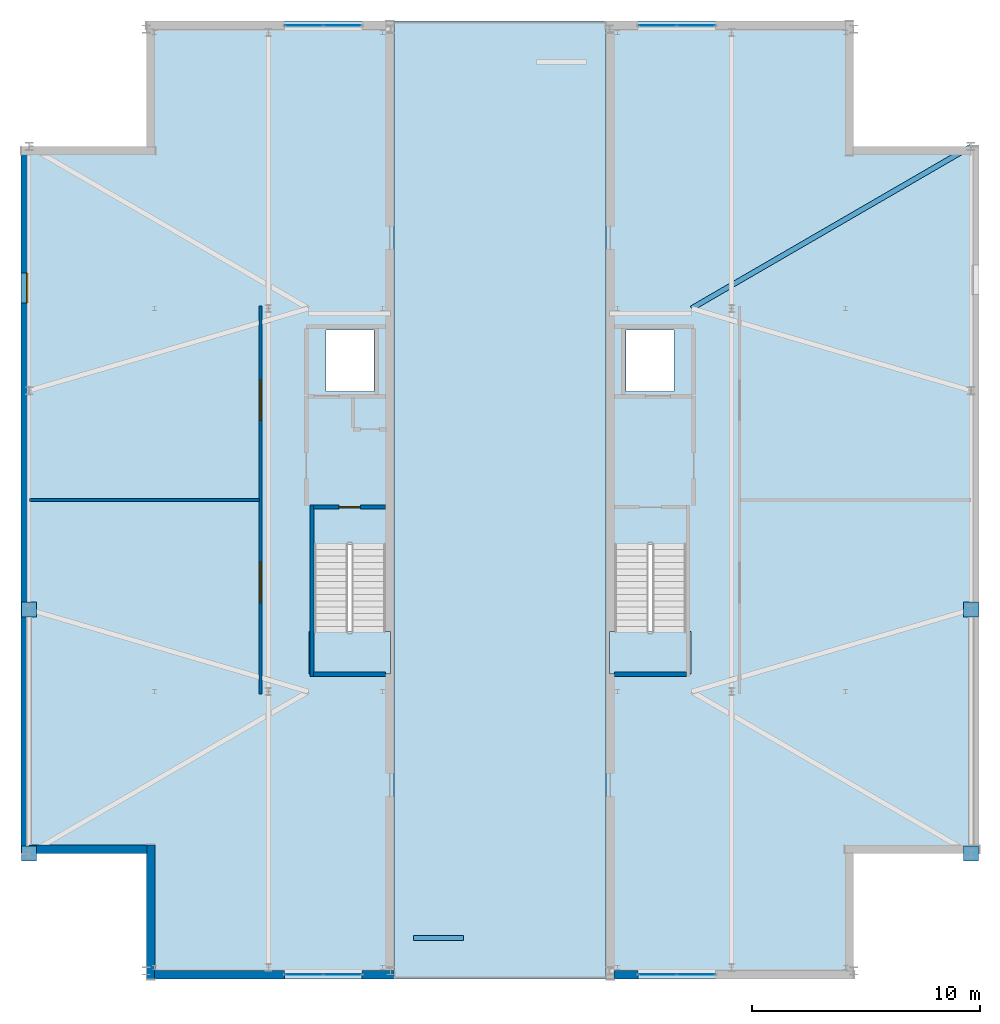
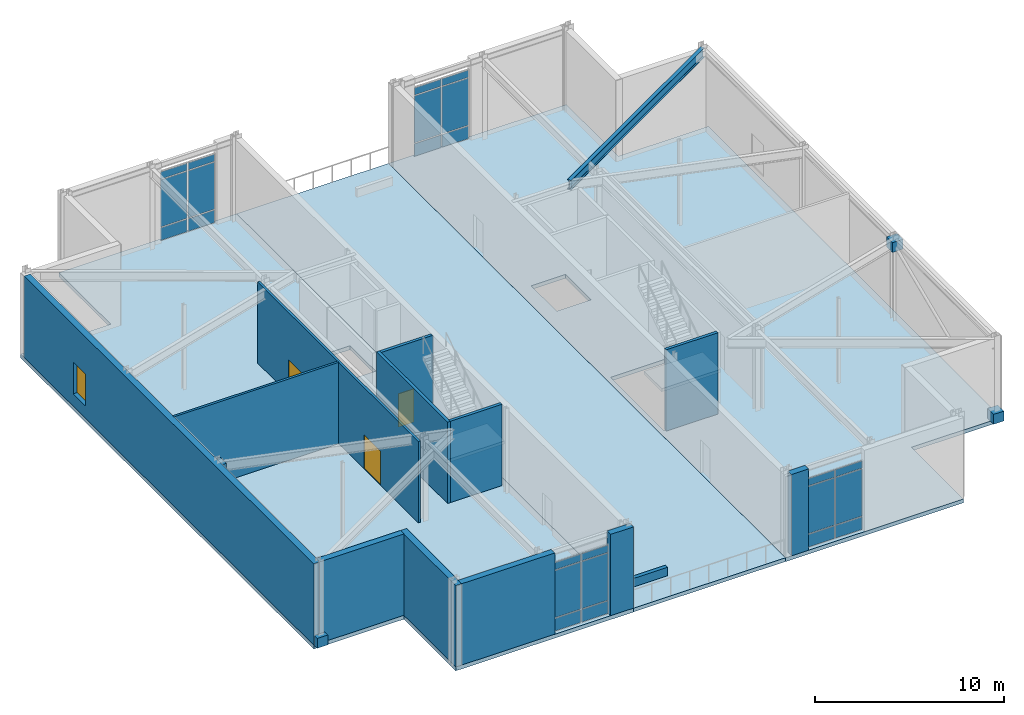
# One storey, part 11 of 16: 28 plates, 13 walls, 5 slabs, 3 doors, 1 beam, 1 window, 4 openings, 6 elements without a shape of their own.
"""IFC4 building model written with IfcOpenShell, lengths in metres."""

from ifc_helpers import new_model, si_unit, direction, frame, frame_2d, origin, origin_2d, place, context, subcontext, project, spatial, polyline, rectangle, i_section, outline, extrude, material, layer, layer_set, material_profile, profile_set, type_object, element, fill, aggregate, save


model = new_model("IFC4")

# Units and contexts
model_context = context("Model", 3, precision=1e-05, world=origin(), true_north=direction((0.0, 1.0)))
body_context = subcontext(model_context, "Body", "Model", "MODEL_VIEW")
ifc_project = project(units=[si_unit("LENGTHUNIT", "METRE"), si_unit("AREAUNIT", "SQUARE_METRE"), si_unit("VOLUMEUNIT", "CUBIC_METRE"), si_unit("PLANEANGLEUNIT", "RADIAN"), si_unit("MASSUNIT", "GRAM", prefix="KILO")], contexts=[model_context])

# Site, building, storey
site_placement = place(None, origin())
site = spatial("IfcSite", under=ifc_project, at=site_placement, CompositionType="ELEMENT")
building_placement = place(site_placement, origin())
building = spatial("IfcBuilding", under=site, at=building_placement, Name="Cairnveth Concourse Tower", CompositionType="ELEMENT")
storey_placement = place(building_placement, frame((0.0, 0.0, 324.5)))
storey = spatial("IfcBuildingStorey", under=building, at=storey_placement, Name="L89", CompositionType="ELEMENT", Elevation=324.5)

# Beam
ifc_material_1 = material(Name="Steel Grade 350", Category="steel")
ifc_material_profile = material_profile(ifc_material_1, i_section(OverallWidth=0.22900390625, OverallDepth=0.612060546875, WebThickness=0.011962890625, FlangeThickness=0.01953125, FilletRadius=0.013916015625, at=origin_2d()), Name="610UB125")
ifc_profile_set = profile_set([ifc_material_profile], Name="Steel Grade 350")
beam_type = type_object("IfcBeamType", Name="ZONE 4 RADIAL GIRDER 610UB125", PredefinedType="BEAM", material=ifc_profile_set)
beam_placement = place(storey_placement, frame((60.39990234375, 47.39990234375, 4.944091796875), z_axis=(0.86518141842, 0.501458984584, 0.0), x_axis=(-0.501458984584, 0.86518141842, 0.0)))
element("IfcBeam", 1, at=beam_placement, inside=storey, type_object=beam_type, Name="Beam CB-E4 L89", PredefinedType="BEAM", context=body_context, shape_type="SweptSolid", body=[
    extrude(i_section(OverallWidth=0.22900390625, OverallDepth=0.612060546875, WebThickness=0.011962890625, FlangeThickness=0.01953125, FilletRadius=0.013916015625, at=origin_2d()), origin(), (0.0, 0.0, 1.0), 14.158935546875),
])

# Slabs
ifc_material_2 = material(Name="Concrete N50 (50 MPa)", Category="concrete")
ifc_layer_1 = layer(ifc_material_2, 0.25)
ifc_layer_set_1 = layer_set([ifc_layer_1], Name="Concrete N50 (50 MPa)")
slab_type_1 = type_object("IfcSlabType", Name="CROWN PLANT FLOOR SLAB 250", PredefinedType="FLOOR", material=ifc_layer_set_1)
slab_1_placement = place(storey_placement, frame((0.0, 0.0, -0.25)))
element("IfcSlab", 2, at=slab_1_placement, inside=storey, type_object=slab_type_1, Name="West Crown Peak Floor Slab L89", PredefinedType="FLOOR", context=body_context, shape_type="SweptSolid", body=[
    extrude(outline(polyline([(36.5, 18.0), (47.360107421875, 18.0), (47.360107421875, 60.0), (36.5, 60.0), (36.5, 54.5), (31.0, 54.5), (31.0, 23.5), (36.5, 23.5), (36.5, 18.0)]), holes=[polyline([(43.760009765625, 31.360107421875), (47.06005859375, 31.360107421875), (47.06005859375, 37.0400390625), (43.760009765625, 37.0400390625), (43.760009765625, 31.360107421875)]), polyline([(44.3701171875, 43.75), (46.469970703125, 43.75), (46.469970703125, 46.449951171875), (44.3701171875, 46.449951171875), (44.3701171875, 43.75)])]), origin(), (0.0, 0.0, 1.0), 0.25),
])
slab_2_placement = place(storey_placement, frame((0.0, 0.0, -0.25)))
element("IfcSlab", 3, at=slab_2_placement, inside=storey, type_object=slab_type_1, Name="East Crown Peak Floor Slab L89", PredefinedType="FLOOR", context=body_context, shape_type="SweptSolid", body=[
    extrude(outline(polyline([(56.639892578125, 18.0), (67.5, 18.0), (67.5, 23.5), (73.0, 23.5), (73.0, 54.5), (67.5, 54.5), (67.5, 60.0), (56.639892578125, 60.0), (56.639892578125, 18.0)]), holes=[polyline([(56.93994140625, 31.360107421875), (60.239990234375, 31.360107421875), (60.239990234375, 37.0400390625), (56.93994140625, 37.0400390625), (56.93994140625, 31.360107421875)]), polyline([(57.530029296875, 43.75), (59.6298828125, 43.75), (59.6298828125, 46.449951171875), (57.530029296875, 46.449951171875), (57.530029296875, 43.75)])]), origin(), (0.0, 0.0, 1.0), 0.25),
])
ifc_layer_2 = layer(ifc_material_2, 0.239990234375)
ifc_layer_set_2 = layer_set([ifc_layer_2], Name="Concrete N50 (50 MPa)")
slab_type_2 = type_object("IfcSlabType", Name="CROWN SKY CLEFT TERRACE SLAB 240", PredefinedType="FLOOR", material=ifc_layer_set_2)
slab_3_placement = place(storey_placement, frame((0.0, 0.0, -0.239990234375)))
element("IfcSlab", 4, at=slab_3_placement, inside=storey, type_object=slab_type_2, Name="Crown Sky-Cleft Garden Terrace Slab L89", PredefinedType="FLOOR", context=body_context, shape_type="SweptSolid", body=[
    extrude(outline(polyline([(47.360107421875, 18.0), (56.639892578125, 18.0), (56.639892578125, 60.0), (47.360107421875, 60.0), (47.360107421875, 18.0)])), origin(), (0.0, 0.0, 1.0), 0.239990234375),
])

# Curtain wall, plates
ifc_material_3 = material(Name="Architectural Bronze Anodised Aluminium 6063-T6", Category="aluminium")
ifc_layer_3 = layer(ifc_material_3, 0.320068359375)
ifc_layer_set_3 = layer_set([ifc_layer_3], Name="Architectural Bronze Anodised Aluminium 6063-T6")
curtain_wall_type = type_object("IfcCurtainWallType", Name="CROWN LANTERN GABLE CURTAIN WALL", PredefinedType="USERDEFINED", material=ifc_layer_set_3)
curtain_wall_1_placement = place(storey_placement, origin())
curtain_wall_1 = element("IfcCurtainWall", 5, at=curtain_wall_1_placement, inside=storey, type_object=curtain_wall_type, Name="Curtain Wall CW-L89-CROWN-W5", ObjectType="SHOPFRONT GLAZING", PredefinedType="USERDEFINED")
ifc_material_4 = material(Name="Double Glazed Low-E Clear Glass", Category="glass")
ifc_layer_4 = layer(ifc_material_4, 0.028076171875)
ifc_layer_set_4 = layer_set([ifc_layer_4], Name="Double Glazed Low-E Clear Glass")
plate_type_1 = type_object("IfcPlateType", Name="DOUBLE GLAZED LOW-E CURTAIN PANEL 28", PredefinedType="CURTAIN_PANEL", material=ifc_layer_set_4)
plate_1_placement = place(storey_placement, frame((43.407470703125, 59.81005859375, 0.06005859375), z_axis=(0.0, 0.0, 1.0), x_axis=(1.0, 0.0, 0.0)))
plate_1 = element("IfcPlate", 6, at=plate_1_placement, type_object=plate_type_1, Name="CWS6 panel 1.1", PredefinedType="CURTAIN_PANEL", context=body_context, shape_type="SweptSolid", body=[
    extrude(rectangle(XDim=1.625, YDim=0.028076171875, at=origin_2d()), origin(), (0.0, 0.0, 1.0), 0.81005859375),
])
plate_2_placement = place(storey_placement, frame((43.407470703125, 59.81005859375, 0.93017578125), z_axis=(0.0, 0.0, 1.0), x_axis=(1.0, 0.0, 0.0)))
plate_2 = element("IfcPlate", 7, at=plate_2_placement, type_object=plate_type_1, Name="CWS6 panel 1.2", PredefinedType="CURTAIN_PANEL", context=body_context, shape_type="SweptSolid", body=[
    extrude(rectangle(XDim=1.625, YDim=0.028076171875, at=origin_2d()), origin(), (0.0, 0.0, 1.0), 3.028076171875),
])
plate_3_placement = place(storey_placement, frame((43.407470703125, 59.81005859375, 4.01806640625), z_axis=(0.0, 0.0, 1.0), x_axis=(1.0, 0.0, 0.0)))
plate_3 = element("IfcPlate", 8, at=plate_3_placement, type_object=plate_type_1, Name="CWS6 panel 1.3", PredefinedType="CURTAIN_PANEL", context=body_context, shape_type="SweptSolid", body=[
    extrude(rectangle(XDim=1.625, YDim=0.028076171875, at=origin_2d()), origin(), (0.0, 0.0, 1.0), 0.4599609375),
])
plate_4_placement = place(storey_placement, frame((45.092529296875, 59.81005859375, 0.06005859375), z_axis=(0.0, 0.0, 1.0), x_axis=(1.0, 0.0, 0.0)))
plate_4 = element("IfcPlate", 9, at=plate_4_placement, type_object=plate_type_1, Name="CWS6 panel 2.1", PredefinedType="CURTAIN_PANEL", context=body_context, shape_type="SweptSolid", body=[
    extrude(rectangle(XDim=1.625, YDim=0.028076171875, at=origin_2d()), origin(), (0.0, 0.0, 1.0), 0.81005859375),
])
plate_5_placement = place(storey_placement, frame((45.092529296875, 59.81005859375, 0.93017578125), z_axis=(0.0, 0.0, 1.0), x_axis=(1.0, 0.0, 0.0)))
plate_5 = element("IfcPlate", 10, at=plate_5_placement, type_object=plate_type_1, Name="CWS6 panel 2.2", PredefinedType="CURTAIN_PANEL", context=body_context, shape_type="SweptSolid", body=[
    extrude(rectangle(XDim=1.625, YDim=0.028076171875, at=origin_2d()), origin(), (0.0, 0.0, 1.0), 3.028076171875),
])
plate_6_placement = place(storey_placement, frame((45.092529296875, 59.81005859375, 4.01806640625), z_axis=(0.0, 0.0, 1.0), x_axis=(1.0, 0.0, 0.0)))
plate_6 = element("IfcPlate", 11, at=plate_6_placement, type_object=plate_type_1, Name="CWS6 panel 2.3", PredefinedType="CURTAIN_PANEL", context=body_context, shape_type="SweptSolid", body=[
    extrude(rectangle(XDim=1.625, YDim=0.028076171875, at=origin_2d()), origin(), (0.0, 0.0, 1.0), 0.4599609375),
])
aggregate(curtain_wall_1, [plate_1, plate_2, plate_3, plate_4, plate_5, plate_6])

curtain_wall_2_placement = place(storey_placement, origin())
curtain_wall_2 = element("IfcCurtainWall", 12, at=curtain_wall_2_placement, inside=storey, type_object=curtain_wall_type, Name="Curtain Wall CW-L89-CROWN-W7", ObjectType="SHOPFRONT GLAZING", PredefinedType="USERDEFINED")
plate_7_placement = place(storey_placement, frame((45.092529296875, 18.18994140625, 0.06005859375), z_axis=(0.0, 0.0, 1.0), x_axis=(-1.0, 0.0, 0.0)))
plate_7 = element("IfcPlate", 13, at=plate_7_placement, type_object=plate_type_1, Name="CWS6 panel 1.1", PredefinedType="CURTAIN_PANEL", context=body_context, shape_type="SweptSolid", body=[
    extrude(rectangle(XDim=1.625, YDim=0.028076171875, at=origin_2d()), origin(), (0.0, 0.0, 1.0), 0.81005859375),
])
plate_8_placement = place(storey_placement, frame((45.092529296875, 18.18994140625, 0.93017578125), z_axis=(0.0, 0.0, 1.0), x_axis=(-1.0, 0.0, 0.0)))
plate_8 = element("IfcPlate", 14, at=plate_8_placement, type_object=plate_type_1, Name="CWS6 panel 1.2", PredefinedType="CURTAIN_PANEL", context=body_context, shape_type="SweptSolid", body=[
    extrude(rectangle(XDim=1.625, YDim=0.028076171875, at=origin_2d()), origin(), (0.0, 0.0, 1.0), 3.028076171875),
])
plate_9_placement = place(storey_placement, frame((45.092529296875, 18.18994140625, 4.01806640625), z_axis=(0.0, 0.0, 1.0), x_axis=(-1.0, 0.0, 0.0)))
plate_9 = element("IfcPlate", 15, at=plate_9_placement, type_object=plate_type_1, Name="CWS6 panel 1.3", PredefinedType="CURTAIN_PANEL", context=body_context, shape_type="SweptSolid", body=[
    extrude(rectangle(XDim=1.625, YDim=0.028076171875, at=origin_2d()), origin(), (0.0, 0.0, 1.0), 0.4599609375),
])
plate_10_placement = place(storey_placement, frame((43.407470703125, 18.18994140625, 0.06005859375), z_axis=(0.0, 0.0, 1.0), x_axis=(-1.0, 0.0, 0.0)))
plate_10 = element("IfcPlate", 16, at=plate_10_placement, type_object=plate_type_1, Name="CWS6 panel 2.1", PredefinedType="CURTAIN_PANEL", context=body_context, shape_type="SweptSolid", body=[
    extrude(rectangle(XDim=1.625, YDim=0.028076171875, at=origin_2d()), origin(), (0.0, 0.0, 1.0), 0.81005859375),
])
plate_11_placement = place(storey_placement, frame((43.407470703125, 18.18994140625, 0.93017578125), z_axis=(0.0, 0.0, 1.0), x_axis=(-1.0, 0.0, 0.0)))
plate_11 = element("IfcPlate", 17, at=plate_11_placement, type_object=plate_type_1, Name="CWS6 panel 2.2", PredefinedType="CURTAIN_PANEL", context=body_context, shape_type="SweptSolid", body=[
    extrude(rectangle(XDim=1.625, YDim=0.028076171875, at=origin_2d()), origin(), (0.0, 0.0, 1.0), 3.028076171875),
])
plate_12_placement = place(storey_placement, frame((43.407470703125, 18.18994140625, 4.01806640625), z_axis=(0.0, 0.0, 1.0), x_axis=(-1.0, 0.0, 0.0)))
plate_12 = element("IfcPlate", 18, at=plate_12_placement, type_object=plate_type_1, Name="CWS6 panel 2.3", PredefinedType="CURTAIN_PANEL", context=body_context, shape_type="SweptSolid", body=[
    extrude(rectangle(XDim=1.625, YDim=0.028076171875, at=origin_2d()), origin(), (0.0, 0.0, 1.0), 0.4599609375),
])
aggregate(curtain_wall_2, [plate_7, plate_8, plate_9, plate_10, plate_11, plate_12])

curtain_wall_3_placement = place(storey_placement, origin())
curtain_wall_3 = element("IfcCurtainWall", 19, at=curtain_wall_3_placement, inside=storey, type_object=curtain_wall_type, Name="Curtain Wall CW-L89-CROWN-E1", ObjectType="SHOPFRONT GLAZING", PredefinedType="USERDEFINED")
plate_13_placement = place(storey_placement, frame((58.907470703125, 59.81005859375, 0.06005859375), z_axis=(0.0, 0.0, 1.0), x_axis=(1.0, 0.0, 0.0)))
plate_13 = element("IfcPlate", 20, at=plate_13_placement, type_object=plate_type_1, Name="CWS6 panel 1.1", PredefinedType="CURTAIN_PANEL", context=body_context, shape_type="SweptSolid", body=[
    extrude(rectangle(XDim=1.625, YDim=0.028076171875, at=origin_2d()), origin(), (0.0, 0.0, 1.0), 0.81005859375),
])
plate_14_placement = place(storey_placement, frame((58.907470703125, 59.81005859375, 0.93017578125), z_axis=(0.0, 0.0, 1.0), x_axis=(1.0, 0.0, 0.0)))
plate_14 = element("IfcPlate", 21, at=plate_14_placement, type_object=plate_type_1, Name="CWS6 panel 1.2", PredefinedType="CURTAIN_PANEL", context=body_context, shape_type="SweptSolid", body=[
    extrude(rectangle(XDim=1.625, YDim=0.028076171875, at=origin_2d()), origin(), (0.0, 0.0, 1.0), 3.028076171875),
])
plate_15_placement = place(storey_placement, frame((58.907470703125, 59.81005859375, 4.01806640625), z_axis=(0.0, 0.0, 1.0), x_axis=(1.0, 0.0, 0.0)))
plate_15 = element("IfcPlate", 22, at=plate_15_placement, type_object=plate_type_1, Name="CWS6 panel 1.3", PredefinedType="CURTAIN_PANEL", context=body_context, shape_type="SweptSolid", body=[
    extrude(rectangle(XDim=1.625, YDim=0.028076171875, at=origin_2d()), origin(), (0.0, 0.0, 1.0), 0.4599609375),
])
plate_16_placement = place(storey_placement, frame((60.592529296875, 59.81005859375, 0.06005859375), z_axis=(0.0, 0.0, 1.0), x_axis=(1.0, 0.0, 0.0)))
plate_16 = element("IfcPlate", 23, at=plate_16_placement, type_object=plate_type_1, Name="CWS6 panel 2.1", PredefinedType="CURTAIN_PANEL", context=body_context, shape_type="SweptSolid", body=[
    extrude(rectangle(XDim=1.625, YDim=0.028076171875, at=origin_2d()), origin(), (0.0, 0.0, 1.0), 0.81005859375),
])
plate_17_placement = place(storey_placement, frame((60.592529296875, 59.81005859375, 0.93017578125), z_axis=(0.0, 0.0, 1.0), x_axis=(1.0, 0.0, 0.0)))
plate_17 = element("IfcPlate", 24, at=plate_17_placement, type_object=plate_type_1, Name="CWS6 panel 2.2", PredefinedType="CURTAIN_PANEL", context=body_context, shape_type="SweptSolid", body=[
    extrude(rectangle(XDim=1.625, YDim=0.028076171875, at=origin_2d()), origin(), (0.0, 0.0, 1.0), 3.028076171875),
])
plate_18_placement = place(storey_placement, frame((60.592529296875, 59.81005859375, 4.01806640625), z_axis=(0.0, 0.0, 1.0), x_axis=(1.0, 0.0, 0.0)))
plate_18 = element("IfcPlate", 25, at=plate_18_placement, type_object=plate_type_1, Name="CWS6 panel 2.3", PredefinedType="CURTAIN_PANEL", context=body_context, shape_type="SweptSolid", body=[
    extrude(rectangle(XDim=1.625, YDim=0.028076171875, at=origin_2d()), origin(), (0.0, 0.0, 1.0), 0.4599609375),
])
aggregate(curtain_wall_3, [plate_13, plate_14, plate_15, plate_16, plate_17, plate_18])

curtain_wall_4_placement = place(storey_placement, origin())
curtain_wall_4 = element("IfcCurtainWall", 26, at=curtain_wall_4_placement, inside=storey, type_object=curtain_wall_type, Name="Curtain Wall CW-L89-CROWN-E7", ObjectType="SHOPFRONT GLAZING", PredefinedType="USERDEFINED")
plate_19_placement = place(storey_placement, frame((60.592529296875, 18.18994140625, 0.06005859375), z_axis=(0.0, 0.0, 1.0), x_axis=(-1.0, 0.0, 0.0)))
plate_19 = element("IfcPlate", 27, at=plate_19_placement, type_object=plate_type_1, Name="CWS6 panel 1.1", PredefinedType="CURTAIN_PANEL", context=body_context, shape_type="SweptSolid", body=[
    extrude(rectangle(XDim=1.625, YDim=0.028076171875, at=origin_2d()), origin(), (0.0, 0.0, 1.0), 0.81005859375),
])
plate_20_placement = place(storey_placement, frame((60.592529296875, 18.18994140625, 0.93017578125), z_axis=(0.0, 0.0, 1.0), x_axis=(-1.0, 0.0, 0.0)))
plate_20 = element("IfcPlate", 28, at=plate_20_placement, type_object=plate_type_1, Name="CWS6 panel 1.2", PredefinedType="CURTAIN_PANEL", context=body_context, shape_type="SweptSolid", body=[
    extrude(rectangle(XDim=1.625, YDim=0.028076171875, at=origin_2d()), origin(), (0.0, 0.0, 1.0), 3.028076171875),
])
plate_21_placement = place(storey_placement, frame((60.592529296875, 18.18994140625, 4.01806640625), z_axis=(0.0, 0.0, 1.0), x_axis=(-1.0, 0.0, 0.0)))
plate_21 = element("IfcPlate", 29, at=plate_21_placement, type_object=plate_type_1, Name="CWS6 panel 1.3", PredefinedType="CURTAIN_PANEL", context=body_context, shape_type="SweptSolid", body=[
    extrude(rectangle(XDim=1.625, YDim=0.028076171875, at=origin_2d()), origin(), (0.0, 0.0, 1.0), 0.4599609375),
])
plate_22_placement = place(storey_placement, frame((58.907470703125, 18.18994140625, 0.06005859375), z_axis=(0.0, 0.0, 1.0), x_axis=(-1.0, 0.0, 0.0)))
plate_22 = element("IfcPlate", 30, at=plate_22_placement, type_object=plate_type_1, Name="CWS6 panel 2.1", PredefinedType="CURTAIN_PANEL", context=body_context, shape_type="SweptSolid", body=[
    extrude(rectangle(XDim=1.625, YDim=0.028076171875, at=origin_2d()), origin(), (0.0, 0.0, 1.0), 0.81005859375),
])
plate_23_placement = place(storey_placement, frame((58.907470703125, 18.18994140625, 0.93017578125), z_axis=(0.0, 0.0, 1.0), x_axis=(-1.0, 0.0, 0.0)))
plate_23 = element("IfcPlate", 31, at=plate_23_placement, type_object=plate_type_1, Name="CWS6 panel 2.2", PredefinedType="CURTAIN_PANEL", context=body_context, shape_type="SweptSolid", body=[
    extrude(rectangle(XDim=1.625, YDim=0.028076171875, at=origin_2d()), origin(), (0.0, 0.0, 1.0), 3.028076171875),
])
plate_24_placement = place(storey_placement, frame((58.907470703125, 18.18994140625, 4.01806640625), z_axis=(0.0, 0.0, 1.0), x_axis=(-1.0, 0.0, 0.0)))
plate_24 = element("IfcPlate", 32, at=plate_24_placement, type_object=plate_type_1, Name="CWS6 panel 2.3", PredefinedType="CURTAIN_PANEL", context=body_context, shape_type="SweptSolid", body=[
    extrude(rectangle(XDim=1.625, YDim=0.028076171875, at=origin_2d()), origin(), (0.0, 0.0, 1.0), 0.4599609375),
])
aggregate(curtain_wall_4, [plate_19, plate_20, plate_21, plate_22, plate_23, plate_24])

# Plates
ifc_layer_5 = layer(ifc_material_1, 0.02392578125)
ifc_layer_set_5 = layer_set([ifc_layer_5], Name="Steel Grade 350")
plate_type_2 = type_object("IfcPlateType", Name="HOLLOW BRACE END CAP PLATE 24", PredefinedType="SHEET", material=ifc_layer_set_5)
for number, where, z_axis, x_axis, name in (
    (33, (31.35009765625, 23.5, -0.02001953125), (0.0, 0.0, 1.0), (1.0, 0.0, 0.0), "Structural Node Plate 1561 L89"),
    (34, (31.35009765625, 34.199951171875, 4.580078125), (0.0, 0.0, 1.0), (1.0, 0.0, 0.0), "Structural Node Plate 1562 L89"),
    (35, (72.64990234375, 23.5, -0.02001953125), (0.0, 0.0, 1.0), (1.0, 0.0, 0.0), "Structural Node Plate 1563 L89"),
    (36, (72.64990234375, 34.199951171875, 4.580078125), (0.0, 0.0, 1.0), (1.0, 0.0, 0.0), "Structural Node Plate 1564 L89"),
):
    element("IfcPlate", number, at=place(storey_placement, frame(where, z_axis=z_axis, x_axis=x_axis)), inside=storey, type_object=plate_type_2, Name=name, PredefinedType="SHEET", context=body_context, shape_type="SweptSolid", body=[
        extrude(rectangle(XDim=0.639892578125, YDim=0.639892578125, at=origin_2d()), origin(), (0.0, 0.0, 1.0), 0.639892578125),
    ])

# Stair, slab
ifc_material_5 = material(Name="Precast concrete N50 (50 MPa)", Category="concrete")
stair_type = type_object("IfcStairType", Name="CORE DOG-LEG FIRE STAIR 1500", PredefinedType="HALF_TURN_STAIR", material=ifc_material_5)
stair_1_placement = place(storey_placement, origin())
stair_1 = element("IfcStair", 37, at=stair_1_placement, inside=storey, type_object=stair_type, Name="L89 Fire-Isolated Stair ST-1", PredefinedType="HALF_TURN_STAIR")
ifc_layer_6 = layer(ifc_material_2, 0.199951171875)
ifc_layer_set_6 = layer_set([ifc_layer_6], Name="Concrete N50 (50 MPa)")
slab_type_3 = type_object("IfcSlabType", Name="STAIR HALF LANDING SLAB 200", PredefinedType="LANDING", material=ifc_layer_set_6)
slab_4_placement = place(storey_placement, frame((0.0, 0.0, 2.550048828125)))
slab_4 = element("IfcSlab", 38, at=slab_4_placement, type_object=slab_type_3, Name="ST-1 landing 1", PredefinedType="LANDING", context=body_context, shape_type="SweptSolid", body=[
    extrude(outline(polyline([(43.6201171875, 33.239990234375), (43.6201171875, 31.3701171875), (47.199951171875, 31.3701171875), (47.199951171875, 33.239990234375), (43.6201171875, 33.239990234375)])), origin(), (0.0, 0.0, 1.0), 0.199951171875),
])
aggregate(stair_1, [slab_4])

stair_2_placement = place(storey_placement, origin())
stair_2 = element("IfcStair", 39, at=stair_2_placement, inside=storey, type_object=stair_type, Name="L89 Fire-Isolated Stair ST-2", PredefinedType="HALF_TURN_STAIR")
slab_5_placement = place(storey_placement, frame((0.0, 0.0, 2.550048828125)))
slab_5 = element("IfcSlab", 40, at=slab_5_placement, type_object=slab_type_3, Name="ST-2 landing 1", PredefinedType="LANDING", context=body_context, shape_type="SweptSolid", body=[
    extrude(outline(polyline([(56.800048828125, 33.239990234375), (56.800048828125, 31.3701171875), (60.3798828125, 31.3701171875), (60.3798828125, 33.239990234375), (56.800048828125, 33.239990234375)])), origin(), (0.0, 0.0, 1.0), 0.199951171875),
])
aggregate(stair_2, [slab_5])

# Walls
ifc_material_6 = material(Name="Melbourne Buff Fired Clay Brick Masonry", Category="masonry")
ifc_layer_7 = layer(ifc_material_6, 0.3798828125)
ifc_layer_set_7 = layer_set([ifc_layer_7], Name="Melbourne Buff Fired Clay Brick Masonry")
wall_type_1 = type_object("IfcWallType", Name="EXTERIOR BRICK SPANDREL WALL 380", PredefinedType="SOLIDWALL", material=ifc_layer_set_7)
wall_1_placement = place(storey_placement, frame((36.68994140625, 18.0, 0.0), z_axis=(0.0, 0.0, 1.0), x_axis=(0.0, 1.0, 0.0)))
element("IfcWall", 41, at=wall_1_placement, inside=storey, type_object=wall_type_1, Name="Exterior Wall EW-L89-W0", PredefinedType="SOLIDWALL", context=body_context, shape_type="SweptSolid", body=[
    extrude(rectangle(XDim=5.8798828125, YDim=0.3798828125, at=frame_2d((2.93994140625, 0.0))), origin(), (0.0, 0.0, 1.0), 5.25),
])
wall_2_placement = place(storey_placement, frame((36.52197265625, 23.68994140625, 0.0), z_axis=(0.0, 0.0, 1.0), x_axis=(-1.0, 0.0, 0.0)))
element("IfcWall", 42, at=wall_2_placement, inside=storey, type_object=wall_type_1, Name="Exterior Wall EW-L89-W1", PredefinedType="SOLIDWALL", context=body_context, shape_type="SweptSolid", body=[
    extrude(rectangle(XDim=5.1640625, YDim=0.3798828125, at=frame_2d((2.58203125, 0.0))), origin(), (0.0, 0.0, 1.0), 5.25),
])

# Wall, opening, window
wall_3_placement = place(storey_placement, frame((31.18994140625, 23.5, 0.0), z_axis=(0.0, 0.0, 1.0), x_axis=(0.0, 1.0, 0.0)))
wall_3 = element("IfcWall", 43, at=wall_3_placement, inside=storey, type_object=wall_type_1, Name="Exterior Wall EW-L89-W2", PredefinedType="SOLIDWALL", context=body_context, shape_type="SweptSolid", body=[
    extrude(rectangle(XDim=30.64208984375, YDim=0.3798828125, at=frame_2d((15.321044921875, 0.0))), origin(), (0.0, 0.0, 1.0), 5.25),
])
opening_1_placement = place(wall_3_placement, frame((24.14208984375, 0.0, 0.800048828125)))
opening_1 = element("IfcOpeningElement", 44, at=opening_1_placement, cuts=wall_3, Name="Opening W12", PredefinedType="OPENING", context=body_context, shape_type="SweptSolid", body=[
    extrude(rectangle(XDim=1.300048828125, YDim=2.050048828125, at=frame_2d((0.64990234375, 1.02490234375))), frame((0.0, 0.199951171875, 0.0), z_axis=(0.0, -1.0, 0.0), x_axis=(1.0, 0.0, 0.0)), (0.0, 0.0, 1.0), 0.39990234375),
])
window_type = type_object("IfcWindowType", Name="CROWN GABLE LANCET WINDOW 1300X2200", PartitioningType="DOUBLE_PANEL_VERTICAL", PredefinedType="WINDOW", material=ifc_material_4)
window_placement = place(opening_1_placement, origin())
window = element("IfcWindow", 45, at=window_placement, inside=storey, type_object=window_type, Name="WIN-L89-W2-1", OverallHeight=2.050048828125, OverallWidth=1.300048828125, PartitioningType="SINGLE_PANEL", PredefinedType="WINDOW", context=body_context, shape_type="SweptSolid", body=[
    extrude(rectangle(XDim=1.300048828125, YDim=2.050048828125, at=frame_2d((0.64990234375, 1.02490234375))), frame((0.0, -0.050048828125, 0.0), z_axis=(0.0, -1.0, 0.0), x_axis=(1.0, 0.0, 0.0)), (0.0, 0.0, 1.0), 0.06005859375),
])
fill(opening_1, window)

# Walls
wall_4_placement = place(storey_placement, frame((47.360107421875, 18.18994140625, 0.0), z_axis=(0.0, 0.0, 1.0), x_axis=(-1.0, 0.0, 0.0)))
element("IfcWall", 46, at=wall_4_placement, inside=storey, type_object=wall_type_1, Name="Exterior Wall EW-L89-W7A", PredefinedType="SOLIDWALL", context=body_context, shape_type="SweptSolid", body=[
    extrude(rectangle(XDim=1.41015625, YDim=0.3798828125, at=frame_2d((0.705078125, 0.0))), origin(), (0.0, 0.0, 1.0), 5.25),
])
wall_5_placement = place(storey_placement, frame((42.550048828125, 18.18994140625, 0.0), z_axis=(0.0, 0.0, 1.0), x_axis=(-1.0, 0.0, 0.0)))
element("IfcWall", 47, at=wall_5_placement, inside=storey, type_object=wall_type_1, Name="Exterior Wall EW-L89-W7B", PredefinedType="SOLIDWALL", context=body_context, shape_type="SweptSolid", body=[
    extrude(rectangle(XDim=5.692138671875, YDim=0.3798828125, at=frame_2d((2.84619140625, 0.0))), origin(), (0.0, 0.0, 1.0), 5.25),
])
wall_6_placement = place(storey_placement, frame((58.050048828125, 18.18994140625, 0.0), z_axis=(0.0, 0.0, 1.0), x_axis=(-1.0, 0.0, 0.0)))
element("IfcWall", 48, at=wall_6_placement, inside=storey, type_object=wall_type_1, Name="Exterior Wall EW-L89-E7B", PredefinedType="SOLIDWALL", context=body_context, shape_type="SweptSolid", body=[
    extrude(rectangle(XDim=1.052001953125, YDim=0.3798828125, at=frame_2d((0.52587890625, 0.0))), origin(), (0.0, 0.0, 1.0), 5.25),
])

# Wall, opening, door
ifc_layer_8 = layer(ifc_material_2, 0.179931640625)
ifc_layer_set_8 = layer_set([ifc_layer_8], Name="Concrete N50 (50 MPa)")
wall_type_2 = type_object("IfcWallType", Name="FIRE SHAFT WALL 180", PredefinedType="SOLIDWALL", material=ifc_layer_set_8)
wall_7_placement = place(storey_placement, frame((43.824951171875, 38.68994140625, 0.0), z_axis=(0.0, 0.0, 1.0), x_axis=(1.0, 0.0, 0.0)))
wall_7 = element("IfcWall", 49, at=wall_7_placement, inside=storey, type_object=wall_type_2, Name="Stair ST-1 Shaft Wall NEAR L89", PredefinedType="SOLIDWALL", context=body_context, shape_type="SweptSolid", body=[
    extrude(rectangle(XDim=3.1650390625, YDim=0.179931640625, at=frame_2d((1.58251953125, 0.0))), origin(), (0.0, 0.0, 1.0), 5.25),
])
opening_2_placement = place(wall_7_placement, frame((1.107421875, 0.0, 0.0)))
opening_2 = element("IfcOpeningElement", 50, at=opening_2_placement, cuts=wall_7, Name="Opening ID12", PredefinedType="OPENING", context=body_context, shape_type="SweptSolid", body=[
    extrude(rectangle(XDim=0.949951171875, YDim=2.14990234375, at=frame_2d((0.47509765625, 1.074951171875))), frame((0.0, 0.099853515625, 0.0), z_axis=(0.0, -1.0, 0.0), x_axis=(1.0, 0.0, 0.0)), (0.0, 0.0, 1.0), 0.199951171875),
])
door_type_1 = type_object("IfcDoorType", Name="FIRE STAIR DOOR 950X2150", OperationType="NOTDEFINED", PredefinedType="DOOR", material=ifc_material_1)
door_1_placement = place(opening_2_placement, origin())
door_1 = element("IfcDoor", 51, at=door_1_placement, inside=storey, type_object=door_type_1, Name="Stair ST-1 Fire Door L89", OperationType="SINGLE_SWING_LEFT", OverallHeight=2.14990234375, OverallWidth=0.949951171875, PredefinedType="DOOR", context=body_context, shape_type="SweptSolid", body=[
    extrude(rectangle(XDim=0.949951171875, YDim=2.14990234375, at=frame_2d((0.47509765625, 1.074951171875))), frame((0.0, 0.02490234375, 0.0), z_axis=(0.0, -1.0, 0.0), x_axis=(1.0, 0.0, 0.0)), (0.0, 0.0, 1.0), 0.050048828125),
])
fill(opening_2, door_1)

# Walls
wall_8_placement = place(storey_placement, frame((43.824951171875, 31.360107421875, 0.0), z_axis=(0.0, 0.0, 1.0), x_axis=(1.0, 0.0, 0.0)))
element("IfcWall", 52, at=wall_8_placement, inside=storey, type_object=wall_type_2, Name="Stair ST-1 Shaft Wall FAR L89", PredefinedType="SOLIDWALL", context=body_context, shape_type="SweptSolid", body=[
    extrude(rectangle(XDim=3.1650390625, YDim=0.179931640625, at=frame_2d((1.58251953125, 0.0))), origin(), (0.0, 0.0, 1.0), 5.25),
])
wall_9_placement = place(storey_placement, frame((43.75, 38.780029296875, 0.0), z_axis=(0.0, 0.0, 1.0), x_axis=(0.0, -1.0, 0.0)))
element("IfcWall", 53, at=wall_9_placement, inside=storey, type_object=wall_type_2, Name="Stair ST-1 Shaft Wall LEFT L89", PredefinedType="SOLIDWALL", context=body_context, shape_type="SweptSolid", body=[
    extrude(rectangle(XDim=7.510009765625, YDim=0.179931640625, at=frame_2d((3.7548828125, 0.0))), origin(), (0.0, 0.0, 1.0), 5.25),
])
wall_10_placement = place(storey_placement, frame((57.010009765625, 31.360107421875, 0.0), z_axis=(0.0, 0.0, 1.0), x_axis=(1.0, 0.0, 0.0)))
element("IfcWall", 54, at=wall_10_placement, inside=storey, type_object=wall_type_2, Name="Stair ST-2 Shaft Wall FAR L89", PredefinedType="SOLIDWALL", context=body_context, shape_type="SweptSolid", body=[
    extrude(rectangle(XDim=3.1650390625, YDim=0.179931640625, at=frame_2d((1.58251953125, 0.0))), origin(), (0.0, 0.0, 1.0), 5.25),
])

# Wall, openings, doors
ifc_material_7 = material(Name="Gypsum Plasterboard Partition", Category="gypsum")
ifc_layer_9 = layer(ifc_material_7, 0.139892578125)
ifc_layer_set_9 = layer_set([ifc_layer_9], Name="Gypsum Plasterboard Partition")
wall_type_3 = type_object("IfcWallType", Name="GYPSUM STUD PARTITION 140", PredefinedType="PARTITIONING", material=ifc_layer_set_9)
wall_11_placement = place(storey_placement, frame((41.5, 30.5, 0.0), z_axis=(0.0, 0.0, 1.0), x_axis=(0.0, 1.0, 0.0)))
wall_11 = element("IfcWall", 55, at=wall_11_placement, inside=storey, type_object=wall_type_3, Name="Interior Wall IW-L89-013", PredefinedType="PARTITIONING", context=body_context, shape_type="SweptSolid", body=[
    extrude(rectangle(XDim=17.0, YDim=0.139892578125, at=frame_2d((8.5, 0.0))), origin(), (0.0, 0.0, 1.0), 5.25),
])
opening_3_placement = place(wall_11_placement, frame((4.0, 0.0, 0.0)))
opening_3 = element("IfcOpeningElement", 56, at=opening_3_placement, cuts=wall_11, Name="Opening ID27", PredefinedType="OPENING", context=body_context, shape_type="SweptSolid", body=[
    extrude(rectangle(XDim=1.760009765625, YDim=2.199951171875, at=frame_2d((0.8798828125, 1.10009765625))), frame((0.0, 0.079833984375, 0.0), z_axis=(0.0, -1.0, 0.0), x_axis=(1.0, 0.0, 0.0)), (0.0, 0.0, 1.0), 0.159912109375),
])
opening_4_placement = place(wall_11_placement, frame((12.0, 0.0, 0.0)))
opening_4 = element("IfcOpeningElement", 57, at=opening_4_placement, cuts=wall_11, Name="Opening ID27", PredefinedType="OPENING", context=body_context, shape_type="SweptSolid", body=[
    extrude(rectangle(XDim=1.760009765625, YDim=2.199951171875, at=frame_2d((0.8798828125, 1.10009765625))), frame((0.0, 0.079833984375, 0.0), z_axis=(0.0, -1.0, 0.0), x_axis=(1.0, 0.0, 0.0)), (0.0, 0.0, 1.0), 0.159912109375),
])
ifc_material_8 = material(Name="Solid Core Hardwood Timber Leaf", Category="wood")
door_type_2 = type_object("IfcDoorType", Name="CONCOURSE DOUBLE DOOR 1760X2200", OperationType="DOUBLE_DOOR_SINGLE_SWING", PredefinedType="DOOR", material=ifc_material_8)
door_2_placement = place(opening_3_placement, origin())
door_2 = element("IfcDoor", 58, at=door_2_placement, inside=storey, type_object=door_type_2, Name="Interior Door DR-L89-006", OperationType="DOUBLE_DOOR_SINGLE_SWING", OverallHeight=2.199951171875, OverallWidth=1.760009765625, PredefinedType="DOOR", context=body_context, shape_type="SweptSolid", body=[
    extrude(rectangle(XDim=1.760009765625, YDim=2.199951171875, at=frame_2d((0.8798828125, 1.10009765625))), frame((0.0, 0.02490234375, 0.0), z_axis=(0.0, -1.0, 0.0), x_axis=(1.0, 0.0, 0.0)), (0.0, 0.0, 1.0), 0.050048828125),
])
fill(opening_3, door_2)
door_3_placement = place(opening_4_placement, origin())
door_3 = element("IfcDoor", 59, at=door_3_placement, inside=storey, type_object=door_type_2, Name="Interior Door DR-L89-007", OperationType="DOUBLE_DOOR_SINGLE_SWING", OverallHeight=2.199951171875, OverallWidth=1.760009765625, PredefinedType="DOOR", context=body_context, shape_type="SweptSolid", body=[
    extrude(rectangle(XDim=1.760009765625, YDim=2.199951171875, at=frame_2d((0.8798828125, 1.10009765625))), frame((0.0, 0.02490234375, 0.0), z_axis=(0.0, -1.0, 0.0), x_axis=(1.0, 0.0, 0.0)), (0.0, 0.0, 1.0), 0.050048828125),
])
fill(opening_4, door_3)

# Walls
wall_12_placement = place(storey_placement, frame((31.364990234375, 39.0, 0.0), z_axis=(0.0, 0.0, 1.0), x_axis=(1.0, 0.0, 0.0)))
element("IfcWall", 60, at=wall_12_placement, inside=storey, type_object=wall_type_3, Name="Interior Wall IW-L89-014", PredefinedType="PARTITIONING", context=body_context, shape_type="SweptSolid", body=[
    extrude(rectangle(XDim=10.080078125, YDim=0.139892578125, at=frame_2d((5.0400390625, 0.0))), origin(), (0.0, 0.0, 1.0), 5.25),
])
ifc_material_9 = material(Name="Dressed Melbourne Bluestone Cladding", Category="masonry")
ifc_layer_10 = layer(ifc_material_9, 0.219970703125)
ifc_layer_set_10 = layer_set([ifc_layer_10], Name="Dressed Melbourne Bluestone Cladding")
wall_type_4 = type_object("IfcWallType", Name="TERRACE PLANTER CURB WALL 220", PredefinedType="PARAPET", material=ifc_layer_set_10)
wall_13_placement = place(storey_placement, frame((48.199951171875, 19.800048828125, 0.0), z_axis=(0.0, 0.0, 1.0), x_axis=(1.0, 0.0, 0.0)))
element("IfcWall", 61, at=wall_13_placement, inside=storey, type_object=wall_type_4, Name="Exterior Wall PLNT-L89-CLEFT-1", PredefinedType="PARAPET", context=body_context, shape_type="SweptSolid", body=[
    extrude(rectangle(XDim=2.199951171875, YDim=0.219970703125, at=frame_2d((1.10009765625, 0.0))), origin(), (0.0, 0.0, 1.0), 0.550048828125),
])

save(model, "model.ifc")
